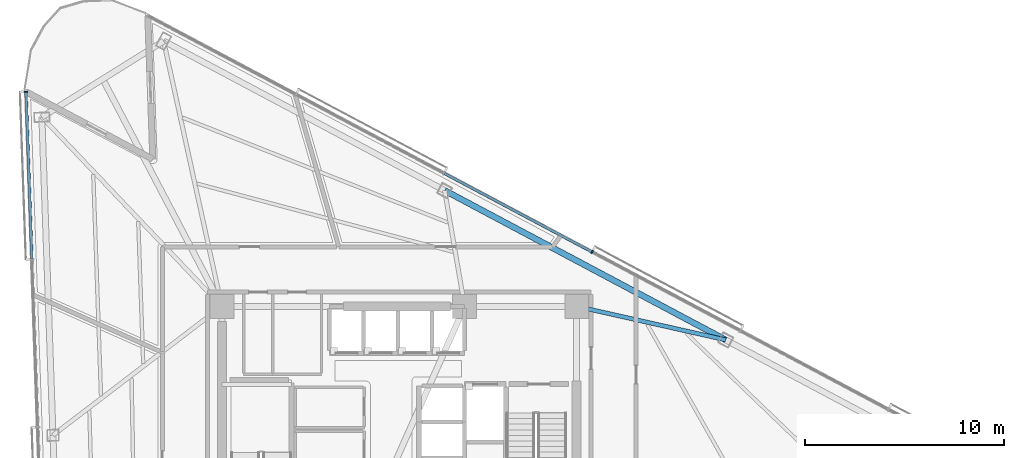
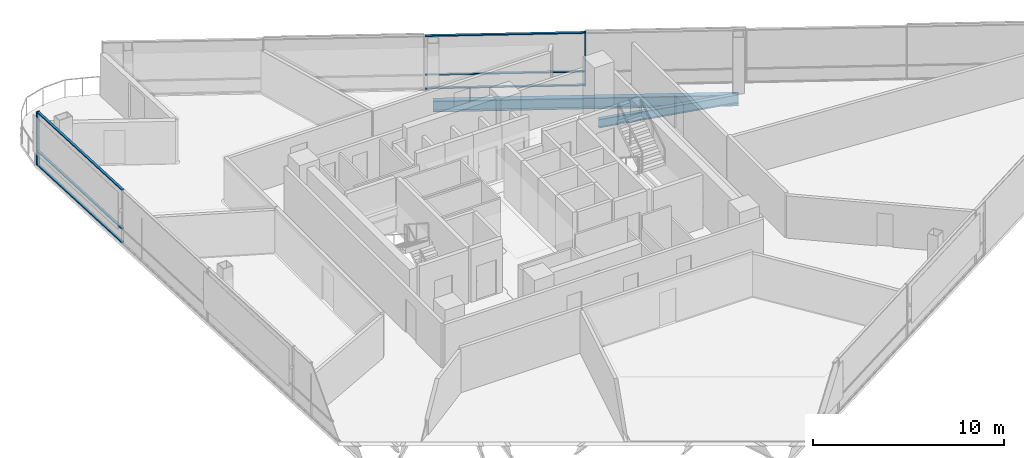
# One storey, part 8 of 21: 8 members, 2 beams, 2 elements without a shape of their own.
"""IFC4 building model written with IfcOpenShell, lengths in metres."""

from ifc_helpers import new_model, si_unit, direction, frame, origin, origin_2d, place, context, subcontext, project, spatial, rectangle, i_section, extrude, material, layer, layer_set, material_profile, profile_set, type_object, element, aggregate, save


model = new_model("IFC4")

# Units and contexts
model_context = context("Model", 3, precision=1e-05, world=origin(), true_north=direction((0.0, 1.0)))
body_context = subcontext(model_context, "Body", "Model", "MODEL_VIEW")
ifc_project = project(units=[si_unit("LENGTHUNIT", "METRE"), si_unit("AREAUNIT", "SQUARE_METRE"), si_unit("VOLUMEUNIT", "CUBIC_METRE"), si_unit("PLANEANGLEUNIT", "RADIAN"), si_unit("MASSUNIT", "GRAM", prefix="KILO")], contexts=[model_context])

# Site, building, storey
site_placement = place(None, origin())
site = spatial("IfcSite", under=ifc_project, at=site_placement, CompositionType="ELEMENT")
building_placement = place(site_placement, origin())
building = spatial("IfcBuilding", under=site, at=building_placement, Name="Tharavind Bronze Gate", CompositionType="ELEMENT")
storey_placement = place(building_placement, frame((0.0, 0.0, 156.800048828125)))
storey = spatial("IfcBuildingStorey", under=building, at=storey_placement, Name="L40", CompositionType="ELEMENT", Elevation=156.800048828125)

# Curtain wall, member
ifc_material_1 = material(Name="Anodised Bronze Aluminium", Category="aluminium")
ifc_layer = layer(ifc_material_1, 0.219970703125)
ifc_layer_set = layer_set([ifc_layer], Name="Anodised Bronze Aluminium")
curtain_wall_type = type_object("IfcCurtainWallType", Name="UNITISED CURTAIN WALL MID OFFICE", PredefinedType="USERDEFINED", material=ifc_layer_set)
curtain_wall_1_placement = place(storey_placement, origin())
curtain_wall_1 = element("IfcCurtainWall", 1, at=curtain_wall_1_placement, inside=storey, type_object=curtain_wall_type, Name="L40 unitised curtain wall mid office CW-L40-S1", ObjectType="UNITISED CURTAIN WALL", PredefinedType="USERDEFINED")
member_type_1 = type_object("IfcMemberType", Name="CURTAIN WALL BRONZE MULLION 65X180", PredefinedType="MULLION", material=ifc_material_1)
member_1_placement = place(storey_placement, frame((-18.7197265625, 18.364501953125, 0.0), z_axis=(0.0, 0.0, 1.0), x_axis=(0.034899496703, -0.999390827019, 0.0)))
member_1 = element("IfcMember", 2, at=member_1_placement, type_object=member_type_1, Name="CW-L40-S1 mullion 1", PredefinedType="MULLION", context=body_context, shape_type="SweptSolid", body=[
    extrude(rectangle(XDim=0.06494140625, YDim=0.179931640625, at=origin_2d()), origin(), (0.0, 0.0, 1.0), 3.409912109375),
])

curtain_wall_2_placement = place(storey_placement, origin())
curtain_wall_2 = element("IfcCurtainWall", 3, at=curtain_wall_2_placement, inside=storey, type_object=curtain_wall_type, Name="L40 unitised curtain wall mid office CW-L40-S3", ObjectType="UNITISED CURTAIN WALL", PredefinedType="USERDEFINED")
member_2_placement = place(storey_placement, frame((9.6748046875, 10.32861328125, 0.0), z_axis=(0.0, 0.0, 1.0), x_axis=(-0.882947592859, 0.469471562786, 0.0)))
member_2 = element("IfcMember", 4, at=member_2_placement, type_object=member_type_1, Name="CW-L40-S3 mullion 4", PredefinedType="MULLION", context=body_context, shape_type="SweptSolid", body=[
    extrude(rectangle(XDim=0.06494140625, YDim=0.179931640625, at=origin_2d()), origin(), (0.0, 0.0, 1.0), 3.409912109375),
])

# Member
member_type_2 = type_object("IfcMemberType", Name="CURTAIN WALL BRONZE TRANSOM 65X140", PredefinedType="USERDEFINED", material=ifc_material_1)
member_3_placement = place(storey_placement, frame((-18.572998046875, 14.159912109375, 0.0), z_axis=(0.0, 0.0, 1.0), x_axis=(0.034899496703, -0.999390827019, 0.0)))
member_3 = element("IfcMember", 5, at=member_3_placement, type_object=member_type_2, Name="CW-L40-S1 transom TB1", ObjectType="TRANSOM", PredefinedType="USERDEFINED", context=body_context, shape_type="SweptSolid", body=[
    extrude(rectangle(XDim=8.361572265625, YDim=0.139892578125, at=origin_2d()), origin(), (0.0, 0.0, 1.0), 0.06494140625),
])

member_4_placement = place(storey_placement, frame((-18.572998046875, 14.159912109375, 0.867431640625), z_axis=(0.0, 0.0, 1.0), x_axis=(0.034899496703, -0.999390827019, 0.0)))
member_4 = element("IfcMember", 6, at=member_4_placement, type_object=member_type_2, Name="CW-L40-S1 transom TS1", ObjectType="TRANSOM", PredefinedType="USERDEFINED", context=body_context, shape_type="SweptSolid", body=[
    extrude(rectangle(XDim=8.361572265625, YDim=0.139892578125, at=origin_2d()), origin(), (0.0, 0.0, 1.0), 0.06494140625),
])

member_5_placement = place(storey_placement, frame((-18.572998046875, 14.159912109375, 3.344970703125), z_axis=(0.0, 0.0, 1.0), x_axis=(0.034899496703, -0.999390827019, 0.0)))
member_5 = element("IfcMember", 7, at=member_5_placement, type_object=member_type_2, Name="CW-L40-S1 transom TT1", ObjectType="TRANSOM", PredefinedType="USERDEFINED", context=body_context, shape_type="SweptSolid", body=[
    extrude(rectangle(XDim=8.361572265625, YDim=0.139892578125, at=origin_2d()), origin(), (0.0, 0.0, 1.0), 0.06494140625),
])

aggregate(curtain_wall_1, [member_1, member_3, member_4, member_5])

member_6_placement = place(storey_placement, frame((5.960205078125, 12.303955078125, 0.0), z_axis=(0.0, 0.0, 1.0), x_axis=(-0.882947592859, 0.469471562786, 0.0)))
member_6 = element("IfcMember", 8, at=member_6_placement, type_object=member_type_2, Name="CW-L40-S3 transom TB4", ObjectType="TRANSOM", PredefinedType="USERDEFINED", context=body_context, shape_type="SweptSolid", body=[
    extrude(rectangle(XDim=8.361572265625, YDim=0.139892578125, at=origin_2d()), origin(), (0.0, 0.0, 1.0), 0.06494140625),
])

member_7_placement = place(storey_placement, frame((5.960205078125, 12.303955078125, 0.867431640625), z_axis=(0.0, 0.0, 1.0), x_axis=(-0.882947592859, 0.469471562786, 0.0)))
member_7 = element("IfcMember", 9, at=member_7_placement, type_object=member_type_2, Name="CW-L40-S3 transom TS4", ObjectType="TRANSOM", PredefinedType="USERDEFINED", context=body_context, shape_type="SweptSolid", body=[
    extrude(rectangle(XDim=8.361572265625, YDim=0.139892578125, at=origin_2d()), origin(), (0.0, 0.0, 1.0), 0.06494140625),
])

member_8_placement = place(storey_placement, frame((5.960205078125, 12.303955078125, 3.344970703125), z_axis=(0.0, 0.0, 1.0), x_axis=(-0.882947592859, 0.469471562786, 0.0)))
member_8 = element("IfcMember", 10, at=member_8_placement, type_object=member_type_2, Name="CW-L40-S3 transom TT4", ObjectType="TRANSOM", PredefinedType="USERDEFINED", context=body_context, shape_type="SweptSolid", body=[
    extrude(rectangle(XDim=8.361572265625, YDim=0.139892578125, at=origin_2d()), origin(), (0.0, 0.0, 1.0), 0.06494140625),
])

aggregate(curtain_wall_2, [member_2, member_6, member_7, member_8])

# Beams
ifc_material_2 = material(Name="Steel S355", Category="steel")
ifc_material_profile_1 = material_profile(ifc_material_2, i_section(OverallWidth=0.2099609375, OverallDepth=0.550048828125, WebThickness=0.010986328125, FlangeThickness=0.01708984375, at=origin_2d()), Name="IPE550")
ifc_profile_set_1 = profile_set([ifc_material_profile_1], Name="Steel S355")
beam_type_1 = type_object("IfcBeamType", Name="PRIMARY GIRDER IPE550", PredefinedType="USERDEFINED", material=ifc_profile_set_1)
beam_1_placement = place(storey_placement, frame((16.3701171875, 5.91943359375, -0.465087890625), z_axis=(-0.97561351158, 0.219495503422, 0.0), x_axis=(-0.219495503422, -0.97561351158, 0.0)))
element("IfcBeam", 11, at=beam_1_placement, inside=storey, type_object=beam_type_1, Name="L40 primary girder ipe550 BM-L40-RAD10", ObjectType="GIRDER", PredefinedType="USERDEFINED", context=body_context, shape_type="SweptSolid", body=[
    extrude(i_section(OverallWidth=0.2099609375, OverallDepth=0.550048828125, WebThickness=0.010986328125, FlangeThickness=0.01708984375, at=origin_2d()), origin(), (0.0, 0.0, 1.0), 7.656982421875),
])
ifc_material_profile_2 = material_profile(ifc_material_2, i_section(OverallWidth=0.300048828125, OverallDepth=0.699951171875, WebThickness=0.01708984375, FlangeThickness=0.031982421875, at=origin_2d()), Name="HE700B")
ifc_profile_set_2 = profile_set([ifc_material_profile_2], Name="Steel S355")
beam_type_2 = type_object("IfcBeamType", Name="RING GIRDER HE700B", PredefinedType="USERDEFINED", material=ifc_profile_set_2)
beam_2_placement = place(storey_placement, frame((16.3701171875, 5.91943359375, -0.5400390625), z_axis=(-0.882948335869, 0.469470165385, 0.0), x_axis=(-0.469470165385, -0.882948335869, 0.0)))
element("IfcBeam", 12, at=beam_2_placement, inside=storey, type_object=beam_type_2, Name="L40 ring girder he700b BM-L40-PRG10", ObjectType="GIRDER", PredefinedType="USERDEFINED", context=body_context, shape_type="SweptSolid", body=[
    extrude(i_section(OverallWidth=0.300048828125, OverallDepth=0.699951171875, WebThickness=0.01708984375, FlangeThickness=0.031982421875, at=origin_2d()), origin(), (0.0, 0.0, 1.0), 15.962890625),
])

save(model, "model.ifc")
